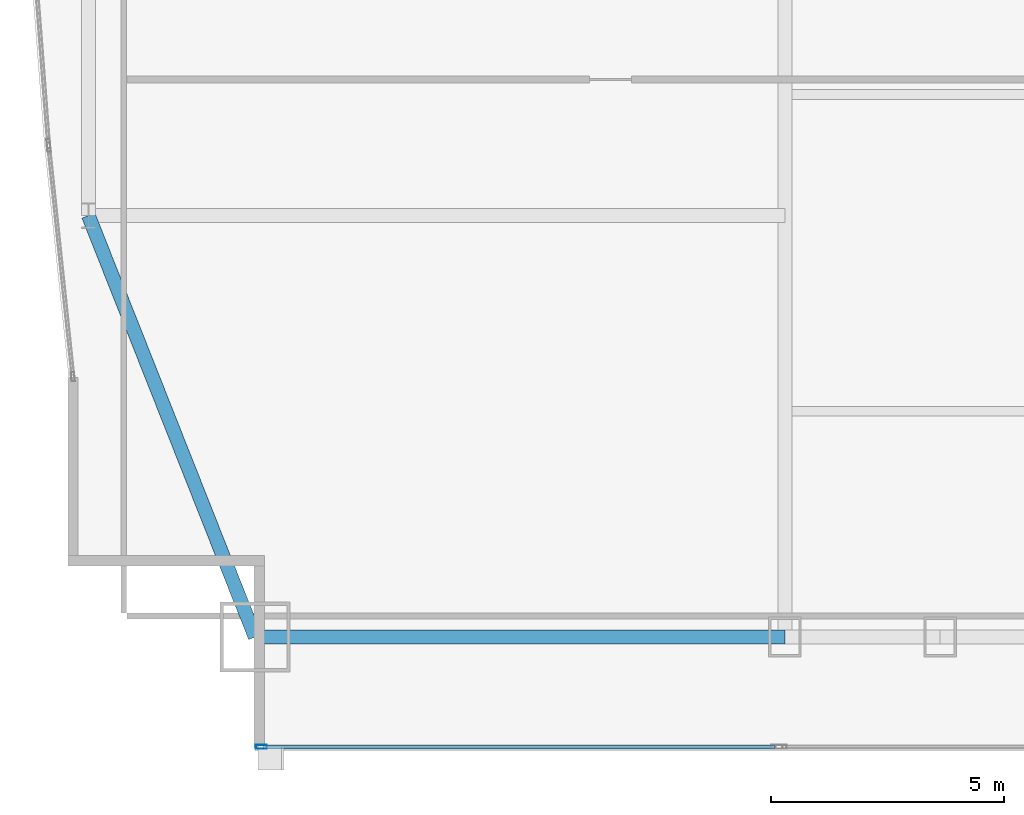
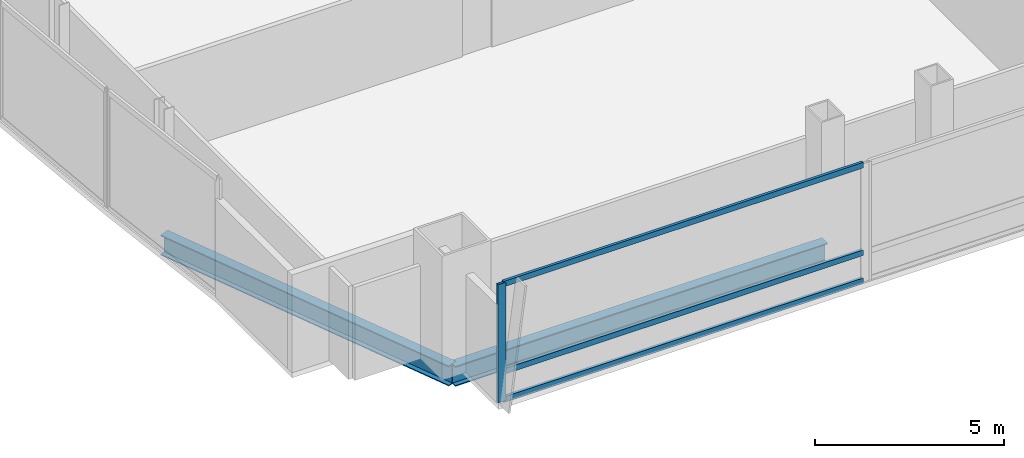
# One storey, part 5 of 30: 4 members, 2 beams, 1 element without a shape of its own.
"""IFC4 building model written with IfcOpenShell, lengths in metres."""

from ifc_helpers import new_model, si_unit, direction, frame, origin, origin_2d, place, context, subcontext, project, spatial, hollow_rectangle, i_section, extrude, material, material_profile, profile_set, type_object, element, aggregate, save


model = new_model("IFC4")

# Units and contexts
model_context = context("Model", 3, precision=1e-05, world=origin(), true_north=direction((0.0, 1.0)))
body_context = subcontext(model_context, "Body", "Model", "MODEL_VIEW")
ifc_project = project(units=[si_unit("LENGTHUNIT", "METRE"), si_unit("AREAUNIT", "SQUARE_METRE"), si_unit("VOLUMEUNIT", "CUBIC_METRE"), si_unit("PLANEANGLEUNIT", "RADIAN"), si_unit("MASSUNIT", "GRAM", prefix="KILO")], contexts=[model_context])

# Site, building, storey
site_placement = place(None, origin())
site = spatial("IfcSite", under=ifc_project, at=site_placement, CompositionType="ELEMENT")
building_placement = place(site_placement, origin())
building = spatial("IfcBuilding", under=site, at=building_placement, Name="Khoronbel Lancet Exchange", CompositionType="ELEMENT")
storey_placement = place(building_placement, frame((0.0, 0.0, 98.60009765625)))
storey = spatial("IfcBuildingStorey", under=building, at=storey_placement, Name="L23", CompositionType="ELEMENT", Elevation=98.60009765625)

# Beams
ifc_material_1 = material(Name="Steel S355", Category="steel")
ifc_material_profile_1 = material_profile(ifc_material_1, i_section(OverallWidth=0.300048828125, OverallDepth=0.64990234375, WebThickness=0.01611328125, FlangeThickness=0.031005859375, at=origin_2d()), Name="HEB 650")
ifc_profile_set_1 = profile_set([ifc_material_profile_1], Name="Steel S355")
beam_type = type_object("IfcBeamType", Name="BM-BSP1", PredefinedType="SPANDREL", material=ifc_profile_set_1)
beam_1_placement = place(storey_placement, frame((6.85009765625, 10.14990234375, -0.505126953125), z_axis=(1.0, 0.0, 0.0), x_axis=(0.0, 1.0, 0.0)))
element("IfcBeam", 1, at=beam_1_placement, inside=storey, type_object=beam_type, Name="Level L23 perimeter spandrel beam SP01", PredefinedType="SPANDREL", context=body_context, shape_type="SweptSolid", body=[
    extrude(i_section(OverallWidth=0.300048828125, OverallDepth=0.64990234375, WebThickness=0.01611328125, FlangeThickness=0.031005859375, at=origin_2d()), origin(), (0.0, 0.0, 1.0), 11.375),
])
beam_2_placement = place(storey_placement, frame((3.27001953125, 19.199951171875, -0.505126953125), z_axis=(0.367850095026, -0.92988510451, 0.0), x_axis=(0.92988510451, 0.367850095026, 0.0)))
element("IfcBeam", 2, at=beam_2_placement, inside=storey, type_object=beam_type, Name="Level L23 perimeter spandrel beam SP21", PredefinedType="SPANDREL", context=body_context, shape_type="SweptSolid", body=[
    extrude(i_section(OverallWidth=0.300048828125, OverallDepth=0.64990234375, WebThickness=0.01611328125, FlangeThickness=0.031005859375, at=origin_2d()), origin(), (0.0, 0.0, 1.0), 9.732421875),
])

# Curtain wall, members
ifc_material_2 = material(Name="Low-E Solar Control Insulating Glass", Category="glass")
curtain_wall_type = type_object("IfcCurtainWallType", Name="CW-2", PredefinedType="NOTDEFINED", material=ifc_material_2)
curtain_wall_placement = place(storey_placement, origin())
curtain_wall = element("IfcCurtainWall", 3, at=curtain_wall_placement, inside=storey, type_object=curtain_wall_type, Name="Unitised curtain wall CW-L23-SWV", PredefinedType="NOTDEFINED")
ifc_material_3 = material(Name="Bronze-Anodised Aluminium 6063-T6", Category="aluminium")
ifc_material_profile_2 = material_profile(ifc_material_3, hollow_rectangle(XDim=0.0849609375, YDim=0.239990234375, WallThickness=0.006103515625, at=origin_2d()), Name="ALU MULLION 85x240")
ifc_profile_set_2 = profile_set([ifc_material_profile_2], Name="Bronze-Anodised Aluminium 6063-T6")
member_type_1 = type_object("IfcMemberType", Name="MEM-CWM1", PredefinedType="MULLION", material=ifc_profile_set_2)
member_1_placement = place(storey_placement, frame((6.982421875, 7.7900390625, 0.0), z_axis=(0.0, 0.0, 1.0), x_axis=(0.0, 1.0, 0.0)))
member_1 = element("IfcMember", 4, at=member_1_placement, type_object=member_type_1, Name="CW2 mullion 1", PredefinedType="MULLION", context=body_context, shape_type="SweptSolid", body=[
    extrude(hollow_rectangle(XDim=0.0849609375, YDim=0.239990234375, WallThickness=0.006103515625, at=origin_2d()), origin(), (0.0, 0.0, 1.0), 3.81982421875),
])
ifc_material_profile_3 = material_profile(ifc_material_3, hollow_rectangle(XDim=0.0849609375, YDim=0.179931640625, WallThickness=0.0048828125, at=origin_2d()), Name="ALU TRANSOM 85x180")
ifc_profile_set_3 = profile_set([ifc_material_profile_3], Name="Bronze-Anodised Aluminium 6063-T6")
member_type_2 = type_object("IfcMemberType", Name="MEM-CWT1", PredefinedType="USERDEFINED", material=ifc_profile_set_3)
member_2_placement = place(storey_placement, frame((7.02490234375, 7.7900390625, 0.04248046875), z_axis=(1.0, 0.0, 0.0), x_axis=(0.0, 1.0, 0.0)))
member_2 = element("IfcMember", 5, at=member_2_placement, type_object=member_type_2, Name="CW2 transom 1.1", ObjectType="TRANSOM", PredefinedType="USERDEFINED", context=body_context, shape_type="SweptSolid", body=[
    extrude(hollow_rectangle(XDim=0.0849609375, YDim=0.179931640625, WallThickness=0.0048828125, at=origin_2d()), origin(), (0.0, 0.0, 1.0), 10.989990234375),
])
member_3_placement = place(storey_placement, frame((7.02490234375, 7.7900390625, 0.949951171875), z_axis=(1.0, 0.0, 0.0), x_axis=(0.0, 1.0, 0.0)))
member_3 = element("IfcMember", 6, at=member_3_placement, type_object=member_type_2, Name="CW2 transom 1.2", ObjectType="TRANSOM", PredefinedType="USERDEFINED", context=body_context, shape_type="SweptSolid", body=[
    extrude(hollow_rectangle(XDim=0.0849609375, YDim=0.179931640625, WallThickness=0.0048828125, at=origin_2d()), origin(), (0.0, 0.0, 1.0), 10.989990234375),
])
member_4_placement = place(storey_placement, frame((7.02490234375, 7.7900390625, 3.77734375), z_axis=(1.0, 0.0, 0.0), x_axis=(0.0, 1.0, 0.0)))
member_4 = element("IfcMember", 7, at=member_4_placement, type_object=member_type_2, Name="CW2 transom 1.3", ObjectType="TRANSOM", PredefinedType="USERDEFINED", context=body_context, shape_type="SweptSolid", body=[
    extrude(hollow_rectangle(XDim=0.0849609375, YDim=0.179931640625, WallThickness=0.0048828125, at=origin_2d()), origin(), (0.0, 0.0, 1.0), 10.989990234375),
])
aggregate(curtain_wall, [member_1, member_2, member_3, member_4])

save(model, "model.ifc")
